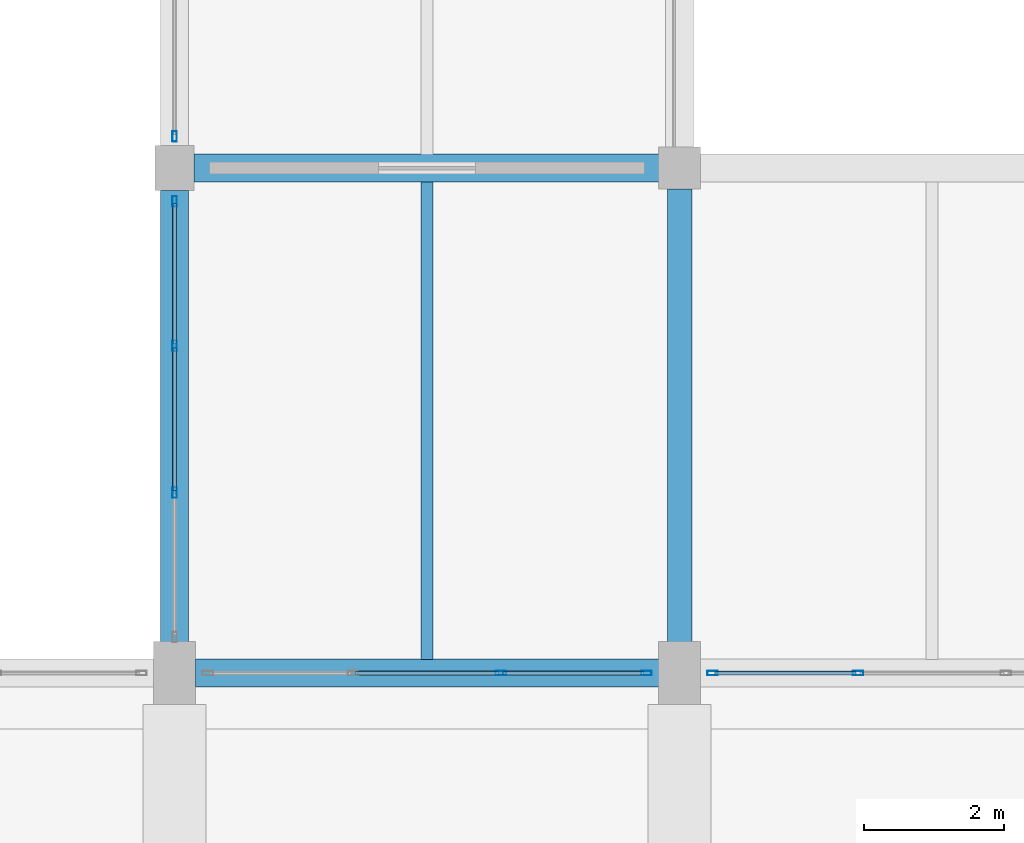
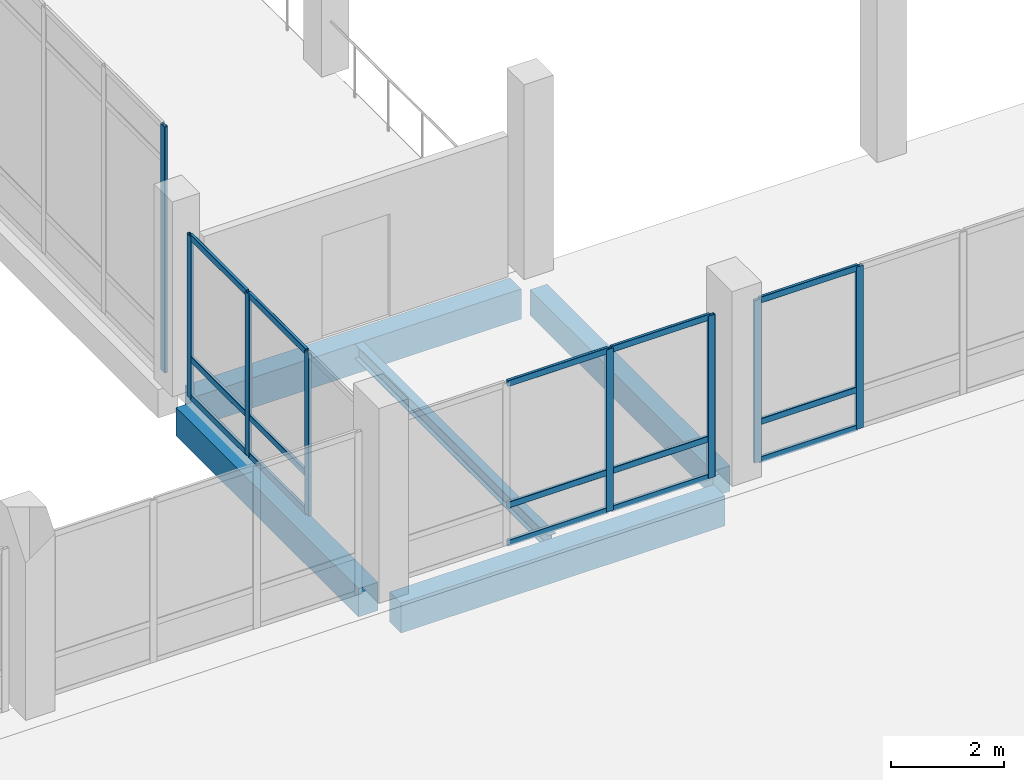
# One storey, part 88 of 158: 23 members, 5 beams, 4 elements without a shape of their own.
"""IFC4 building model written with IfcOpenShell, lengths in metres."""

from ifc_helpers import new_model, si_unit, direction, frame, origin, origin_2d, place, context, subcontext, project, spatial, rectangle, hollow_rectangle, i_section, extrude, material, material_profile, profile_set, type_object, element, aggregate, save


model = new_model("IFC4")

# Units and contexts
model_context = context("Model", 3, precision=1e-05, world=origin(), true_north=direction((0.0, 1.0)))
body_context = subcontext(model_context, "Body", "Model", "MODEL_VIEW")
ifc_project = project(units=[si_unit("LENGTHUNIT", "METRE"), si_unit("AREAUNIT", "SQUARE_METRE"), si_unit("VOLUMEUNIT", "CUBIC_METRE"), si_unit("PLANEANGLEUNIT", "RADIAN"), si_unit("MASSUNIT", "GRAM", prefix="KILO")], contexts=[model_context])

# Site, building, storey
site_placement = place(None, origin())
site = spatial("IfcSite", under=ifc_project, at=site_placement, CompositionType="ELEMENT")
building_placement = place(site_placement, origin())
building = spatial("IfcBuilding", under=site, at=building_placement, Name="Lusvemor Sports Hall", CompositionType="ELEMENT")
storey_placement = place(building_placement, frame((0.0, 0.0, 10.800048828125)))
storey = spatial("IfcBuildingStorey", under=building, at=storey_placement, Name="L02", CompositionType="ELEMENT", Elevation=10.800048828125)

# Beams
ifc_material_1 = material(Name="Concrete C40/50", Category="concrete")
ifc_material_profile_1 = material_profile(ifc_material_1, rectangle(XDim=0.35009765625, YDim=0.550048828125, at=origin_2d()), Name="RC350x550")
ifc_profile_set_1 = profile_set([ifc_material_profile_1], Name="Concrete C40/50")
beam_type_1 = type_object("IfcBeamType", Name="BEAM_RC_550", PredefinedType="BEAM", material=ifc_profile_set_1)
beam_1_placement = place(storey_placement, frame((140.39990234375, 40.0458984375, -0.53515625), z_axis=(0.0, 1.0, 0.0), x_axis=(-1.0, 0.0, 0.0)))
element("IfcBeam", 1, at=beam_1_placement, inside=storey, type_object=beam_type_1, Name="Beam L02 16:E-F", PredefinedType="BEAM", context=body_context, shape_type="SweptSolid", body=[
    extrude(rectangle(XDim=0.35009765625, YDim=0.550048828125, at=origin_2d()), origin(), (0.0, 0.0, 1.0), 6.4580078125),
])
ifc_material_2 = material(Name="Concrete C40/50", Category="concrete")
ifc_material_profile_2 = material_profile(ifc_material_2, rectangle(XDim=0.39990234375, YDim=0.64990234375, at=origin_2d()), Name="RC400x650")
ifc_profile_set_2 = profile_set([ifc_material_profile_2], Name="Concrete C40/50")
beam_type_2 = type_object("IfcBeamType", Name="BEAM_RC_650", PredefinedType="BEAM", material=ifc_profile_set_2)
beam_2_placement = place(storey_placement, frame((133.49609375, 39.60009765625, -0.675048828125), z_axis=(1.0, 0.0, 0.0), x_axis=(0.0, 1.0, 0.0)))
element("IfcBeam", 2, at=beam_2_placement, inside=storey, type_object=beam_type_2, Name="Beam L02 E:15-16", PredefinedType="BEAM", context=body_context, shape_type="SweptSolid", body=[
    extrude(rectangle(XDim=0.39990234375, YDim=0.64990234375, at=origin_2d()), origin(), (0.0, 0.0, 1.0), 6.60791015625),
])
beam_3_placement = place(storey_placement, frame((133.47607421875, 46.800048828125, -0.5849609375), z_axis=(1.0, 0.0, 0.0), x_axis=(0.0, 1.0, 0.0)))
element("IfcBeam", 3, at=beam_3_placement, inside=storey, type_object=beam_type_2, Name="Beam L02 F:15-16", PredefinedType="BEAM", context=body_context, shape_type="SweptSolid", body=[
    extrude(rectangle(XDim=0.39990234375, YDim=0.64990234375, at=origin_2d()), origin(), (0.0, 0.0, 1.0), 6.6279296875),
])

# Curtain wall, members
ifc_material_3 = material(Name="Thermally broken bronze-anodized aluminium", Category="aluminium")
curtain_wall_type_1 = type_object("IfcCurtainWallType", Name="CW_COURT_C", PredefinedType="NOTDEFINED", material=ifc_material_3)
curtain_wall_1_placement = place(storey_placement, origin())
curtain_wall_1 = element("IfcCurtainWall", 4, at=curtain_wall_1_placement, inside=storey, type_object=curtain_wall_type_1, Name="Curtain Wall CW-V2N-L02-2", PredefinedType="NOTDEFINED")
ifc_material_4 = material(Name="Thermally broken bronze-anodized aluminium", Category="aluminium")
ifc_material_profile_3 = material_profile(ifc_material_4, hollow_rectangle(XDim=0.06494140625, YDim=0.14990234375, WallThickness=0.00390625, InnerFilletRadius=0.00390625, OuterFilletRadius=0.008056640625, at=origin_2d()), Name="CWMUL150x65x4")
ifc_profile_set_3 = profile_set([ifc_material_profile_3], Name="Thermally broken bronze-anodized aluminium")
member_type_1 = type_object("IfcMemberType", Name="CW_MUL_B", PredefinedType="MULLION", material=ifc_profile_set_3)
member_1_placement = place(storey_placement, frame((137.853271484375, 39.60009765625, 0.0), z_axis=(0.0, 0.0, 1.0), x_axis=(0.0, 1.0, 0.0)))
member_1 = element("IfcMember", 5, at=member_1_placement, type_object=member_type_1, Name="CW03 mullion 3", PredefinedType="MULLION", context=body_context, shape_type="SweptSolid", body=[
    extrude(hollow_rectangle(XDim=0.06494140625, YDim=0.14990234375, WallThickness=0.00390625, InnerFilletRadius=0.00390625, OuterFilletRadius=0.008056640625, at=origin_2d()), origin(), (0.0, 0.0, 1.0), 3.5),
])
member_2_placement = place(storey_placement, frame((139.927490234375, 39.60009765625, 0.0), z_axis=(0.0, 0.0, 1.0), x_axis=(0.0, 1.0, 0.0)))
member_2 = element("IfcMember", 6, at=member_2_placement, type_object=member_type_1, Name="CW03 mullion 4", PredefinedType="MULLION", context=body_context, shape_type="SweptSolid", body=[
    extrude(hollow_rectangle(XDim=0.06494140625, YDim=0.14990234375, WallThickness=0.00390625, InnerFilletRadius=0.00390625, OuterFilletRadius=0.008056640625, at=origin_2d()), origin(), (0.0, 0.0, 1.0), 3.5),
])

curtain_wall_2_placement = place(storey_placement, origin())
curtain_wall_2 = element("IfcCurtainWall", 7, at=curtain_wall_2_placement, inside=storey, type_object=curtain_wall_type_1, Name="Curtain Wall CW-V2N-L02-3", PredefinedType="NOTDEFINED")
member_3_placement = place(storey_placement, frame((140.87255859375, 39.60009765625, 0.0), z_axis=(0.0, 0.0, 1.0), x_axis=(0.0, 1.0, 0.0)))
member_3 = element("IfcMember", 8, at=member_3_placement, type_object=member_type_1, Name="CW03 mullion 1", PredefinedType="MULLION", context=body_context, shape_type="SweptSolid", body=[
    extrude(hollow_rectangle(XDim=0.06494140625, YDim=0.14990234375, WallThickness=0.00390625, InnerFilletRadius=0.00390625, OuterFilletRadius=0.008056640625, at=origin_2d()), origin(), (0.0, 0.0, 1.0), 3.5),
])
member_4_placement = place(storey_placement, frame((142.94677734375, 39.60009765625, 0.0), z_axis=(0.0, 0.0, 1.0), x_axis=(0.0, 1.0, 0.0)))
member_4 = element("IfcMember", 9, at=member_4_placement, type_object=member_type_1, Name="CW03 mullion 2", PredefinedType="MULLION", context=body_context, shape_type="SweptSolid", body=[
    extrude(hollow_rectangle(XDim=0.06494140625, YDim=0.14990234375, WallThickness=0.00390625, InnerFilletRadius=0.00390625, OuterFilletRadius=0.008056640625, at=origin_2d()), origin(), (0.0, 0.0, 1.0), 3.5),
])

# Curtain wall, member
ifc_material_5 = material(Name="Thermally broken bronze-anodized aluminium", Category="aluminium")
curtain_wall_type_2 = type_object("IfcCurtainWallType", Name="CW_CLIMB_D", PredefinedType="NOTDEFINED", material=ifc_material_5)
curtain_wall_3_placement = place(storey_placement, origin())
curtain_wall_3 = element("IfcCurtainWall", 10, at=curtain_wall_3_placement, inside=storey, type_object=curtain_wall_type_2, Name="Curtain Wall CW-V3W-L02-0", PredefinedType="NOTDEFINED")
member_5_placement = place(storey_placement, frame((133.199951171875, 47.25244140625, 0.0), z_axis=(0.0, 0.0, 1.0), x_axis=(-1.0, 0.0, 0.0)))
member_5 = element("IfcMember", 11, at=member_5_placement, type_object=member_type_1, Name="CW04 mullion 1", PredefinedType="MULLION", context=body_context, shape_type="SweptSolid", body=[
    extrude(hollow_rectangle(XDim=0.06494140625, YDim=0.14990234375, WallThickness=0.00390625, InnerFilletRadius=0.00390625, OuterFilletRadius=0.008056640625, at=origin_2d()), origin(), (0.0, 0.0, 1.0), 5.300048828125),
])
aggregate(curtain_wall_3, [member_5])

# Curtain wall, members
ifc_material_6 = material(Name="Thermally broken bronze-anodized aluminium", Category="aluminium")
curtain_wall_type_3 = type_object("IfcCurtainWallType", Name="CW_PASSAGE_E", PredefinedType="NOTDEFINED", material=ifc_material_6)
curtain_wall_4_placement = place(storey_placement, origin())
curtain_wall_4 = element("IfcCurtainWall", 12, at=curtain_wall_4_placement, inside=storey, type_object=curtain_wall_type_3, Name="Curtain Wall CW-ELINK-133-L02", PredefinedType="NOTDEFINED")
member_6_placement = place(storey_placement, frame((133.199951171875, 42.17333984375, 0.0), z_axis=(0.0, 0.0, 1.0), x_axis=(-1.0, 0.0, 0.0)))
member_6 = element("IfcMember", 13, at=member_6_placement, type_object=member_type_1, Name="CW05 mullion 2", PredefinedType="MULLION", context=body_context, shape_type="SweptSolid", body=[
    extrude(hollow_rectangle(XDim=0.06494140625, YDim=0.14990234375, WallThickness=0.00390625, InnerFilletRadius=0.00390625, OuterFilletRadius=0.008056640625, at=origin_2d()), origin(), (0.0, 0.0, 1.0), 3.5),
])
member_7_placement = place(storey_placement, frame((133.199951171875, 44.2666015625, 0.0), z_axis=(0.0, 0.0, 1.0), x_axis=(-1.0, 0.0, 0.0)))
member_7 = element("IfcMember", 14, at=member_7_placement, type_object=member_type_1, Name="CW05 mullion 3", PredefinedType="MULLION", context=body_context, shape_type="SweptSolid", body=[
    extrude(hollow_rectangle(XDim=0.06494140625, YDim=0.14990234375, WallThickness=0.00390625, InnerFilletRadius=0.00390625, OuterFilletRadius=0.008056640625, at=origin_2d()), origin(), (0.0, 0.0, 1.0), 3.5),
])
member_8_placement = place(storey_placement, frame((133.199951171875, 46.327392578125, 0.0), z_axis=(0.0, 0.0, 1.0), x_axis=(-1.0, 0.0, 0.0)))
member_8 = element("IfcMember", 15, at=member_8_placement, type_object=member_type_1, Name="CW05 mullion 4", PredefinedType="MULLION", context=body_context, shape_type="SweptSolid", body=[
    extrude(hollow_rectangle(XDim=0.06494140625, YDim=0.14990234375, WallThickness=0.00390625, InnerFilletRadius=0.00390625, OuterFilletRadius=0.008056640625, at=origin_2d()), origin(), (0.0, 0.0, 1.0), 3.5),
])

# Member
ifc_material_7 = material(Name="Thermally broken bronze-anodized aluminium", Category="aluminium")
ifc_material_profile_4 = material_profile(ifc_material_7, hollow_rectangle(XDim=0.06005859375, YDim=0.135009765625, WallThickness=0.00390625, InnerFilletRadius=0.00390625, OuterFilletRadius=0.008056640625, at=origin_2d()), Name="CWTRN135x60x4")
ifc_profile_set_4 = profile_set([ifc_material_profile_4], Name="Thermally broken bronze-anodized aluminium")
member_type_2 = type_object("IfcMemberType", Name="CW_TRN_B", PredefinedType="USERDEFINED", material=ifc_profile_set_4)
member_9_placement = place(storey_placement, frame((135.779052734375, 39.60009765625, 0.030029296875), z_axis=(1.0, 0.0, 0.0), x_axis=(0.0, 1.0, 0.0)))
member_9 = element("IfcMember", 16, at=member_9_placement, type_object=member_type_2, Name="CW03 transom 2.1", ObjectType="TRANSOM", PredefinedType="USERDEFINED", context=body_context, shape_type="SweptSolid", body=[
    extrude(hollow_rectangle(XDim=0.06005859375, YDim=0.135009765625, WallThickness=0.00390625, InnerFilletRadius=0.00390625, OuterFilletRadius=0.008056640625, at=origin_2d()), origin(), (0.0, 0.0, 1.0), 2.041748046875),
])

member_10_placement = place(storey_placement, frame((135.779052734375, 39.60009765625, 0.849853515625), z_axis=(1.0, 0.0, 0.0), x_axis=(0.0, 1.0, 0.0)))
member_10 = element("IfcMember", 17, at=member_10_placement, type_object=member_type_2, Name="CW03 transom 2.2", ObjectType="TRANSOM", PredefinedType="USERDEFINED", context=body_context, shape_type="SweptSolid", body=[
    extrude(hollow_rectangle(XDim=0.06005859375, YDim=0.135009765625, WallThickness=0.00390625, InnerFilletRadius=0.00390625, OuterFilletRadius=0.008056640625, at=origin_2d()), origin(), (0.0, 0.0, 1.0), 2.041748046875),
])

member_11_placement = place(storey_placement, frame((135.779052734375, 39.60009765625, 3.469970703125), z_axis=(1.0, 0.0, 0.0), x_axis=(0.0, 1.0, 0.0)))
member_11 = element("IfcMember", 18, at=member_11_placement, type_object=member_type_2, Name="CW03 transom 2.3", ObjectType="TRANSOM", PredefinedType="USERDEFINED", context=body_context, shape_type="SweptSolid", body=[
    extrude(hollow_rectangle(XDim=0.06005859375, YDim=0.135009765625, WallThickness=0.00390625, InnerFilletRadius=0.00390625, OuterFilletRadius=0.008056640625, at=origin_2d()), origin(), (0.0, 0.0, 1.0), 2.041748046875),
])

member_12_placement = place(storey_placement, frame((137.8857421875, 39.60009765625, 0.030029296875), z_axis=(1.0, 0.0, 0.0), x_axis=(0.0, 1.0, 0.0)))
member_12 = element("IfcMember", 19, at=member_12_placement, type_object=member_type_2, Name="CW03 transom 3.1", ObjectType="TRANSOM", PredefinedType="USERDEFINED", context=body_context, shape_type="SweptSolid", body=[
    extrude(hollow_rectangle(XDim=0.06005859375, YDim=0.135009765625, WallThickness=0.00390625, InnerFilletRadius=0.00390625, OuterFilletRadius=0.008056640625, at=origin_2d()), origin(), (0.0, 0.0, 1.0), 2.00927734375),
])

member_13_placement = place(storey_placement, frame((137.8857421875, 39.60009765625, 0.849853515625), z_axis=(1.0, 0.0, 0.0), x_axis=(0.0, 1.0, 0.0)))
member_13 = element("IfcMember", 20, at=member_13_placement, type_object=member_type_2, Name="CW03 transom 3.2", ObjectType="TRANSOM", PredefinedType="USERDEFINED", context=body_context, shape_type="SweptSolid", body=[
    extrude(hollow_rectangle(XDim=0.06005859375, YDim=0.135009765625, WallThickness=0.00390625, InnerFilletRadius=0.00390625, OuterFilletRadius=0.008056640625, at=origin_2d()), origin(), (0.0, 0.0, 1.0), 2.00927734375),
])

member_14_placement = place(storey_placement, frame((137.8857421875, 39.60009765625, 3.469970703125), z_axis=(1.0, 0.0, 0.0), x_axis=(0.0, 1.0, 0.0)))
member_14 = element("IfcMember", 21, at=member_14_placement, type_object=member_type_2, Name="CW03 transom 3.3", ObjectType="TRANSOM", PredefinedType="USERDEFINED", context=body_context, shape_type="SweptSolid", body=[
    extrude(hollow_rectangle(XDim=0.06005859375, YDim=0.135009765625, WallThickness=0.00390625, InnerFilletRadius=0.00390625, OuterFilletRadius=0.008056640625, at=origin_2d()), origin(), (0.0, 0.0, 1.0), 2.00927734375),
])

aggregate(curtain_wall_1, [member_1, member_2, member_9, member_10, member_11, member_12, member_13, member_14])

member_15_placement = place(storey_placement, frame((140.905029296875, 39.60009765625, 0.030029296875), z_axis=(1.0, 0.0, 0.0), x_axis=(0.0, 1.0, 0.0)))
member_15 = element("IfcMember", 22, at=member_15_placement, type_object=member_type_2, Name="CW03 transom 1.1", ObjectType="TRANSOM", PredefinedType="USERDEFINED", context=body_context, shape_type="SweptSolid", body=[
    extrude(hollow_rectangle(XDim=0.06005859375, YDim=0.135009765625, WallThickness=0.00390625, InnerFilletRadius=0.00390625, OuterFilletRadius=0.008056640625, at=origin_2d()), origin(), (0.0, 0.0, 1.0), 2.009033203125),
])

member_16_placement = place(storey_placement, frame((140.905029296875, 39.60009765625, 0.849853515625), z_axis=(1.0, 0.0, 0.0), x_axis=(0.0, 1.0, 0.0)))
member_16 = element("IfcMember", 23, at=member_16_placement, type_object=member_type_2, Name="CW03 transom 1.2", ObjectType="TRANSOM", PredefinedType="USERDEFINED", context=body_context, shape_type="SweptSolid", body=[
    extrude(hollow_rectangle(XDim=0.06005859375, YDim=0.135009765625, WallThickness=0.00390625, InnerFilletRadius=0.00390625, OuterFilletRadius=0.008056640625, at=origin_2d()), origin(), (0.0, 0.0, 1.0), 2.009033203125),
])

member_17_placement = place(storey_placement, frame((140.905029296875, 39.60009765625, 3.469970703125), z_axis=(1.0, 0.0, 0.0), x_axis=(0.0, 1.0, 0.0)))
member_17 = element("IfcMember", 24, at=member_17_placement, type_object=member_type_2, Name="CW03 transom 1.3", ObjectType="TRANSOM", PredefinedType="USERDEFINED", context=body_context, shape_type="SweptSolid", body=[
    extrude(hollow_rectangle(XDim=0.06005859375, YDim=0.135009765625, WallThickness=0.00390625, InnerFilletRadius=0.00390625, OuterFilletRadius=0.008056640625, at=origin_2d()), origin(), (0.0, 0.0, 1.0), 2.009033203125),
])

aggregate(curtain_wall_2, [member_3, member_4, member_15, member_16, member_17])

member_18_placement = place(storey_placement, frame((133.199951171875, 42.205810546875, 0.030029296875), z_axis=(0.0, 1.0, 0.0), x_axis=(-1.0, 0.0, 0.0)))
member_18 = element("IfcMember", 25, at=member_18_placement, type_object=member_type_2, Name="CW05 transom 2.1", ObjectType="TRANSOM", PredefinedType="USERDEFINED", context=body_context, shape_type="SweptSolid", body=[
    extrude(hollow_rectangle(XDim=0.06005859375, YDim=0.135009765625, WallThickness=0.00390625, InnerFilletRadius=0.00390625, OuterFilletRadius=0.008056640625, at=origin_2d()), origin(), (0.0, 0.0, 1.0), 2.0283203125),
])

member_19_placement = place(storey_placement, frame((133.199951171875, 42.205810546875, 0.849853515625), z_axis=(0.0, 1.0, 0.0), x_axis=(-1.0, 0.0, 0.0)))
member_19 = element("IfcMember", 26, at=member_19_placement, type_object=member_type_2, Name="CW05 transom 2.2", ObjectType="TRANSOM", PredefinedType="USERDEFINED", context=body_context, shape_type="SweptSolid", body=[
    extrude(hollow_rectangle(XDim=0.06005859375, YDim=0.135009765625, WallThickness=0.00390625, InnerFilletRadius=0.00390625, OuterFilletRadius=0.008056640625, at=origin_2d()), origin(), (0.0, 0.0, 1.0), 2.0283203125),
])

member_20_placement = place(storey_placement, frame((133.199951171875, 42.205810546875, 3.469970703125), z_axis=(0.0, 1.0, 0.0), x_axis=(-1.0, 0.0, 0.0)))
member_20 = element("IfcMember", 27, at=member_20_placement, type_object=member_type_2, Name="CW05 transom 2.3", ObjectType="TRANSOM", PredefinedType="USERDEFINED", context=body_context, shape_type="SweptSolid", body=[
    extrude(hollow_rectangle(XDim=0.06005859375, YDim=0.135009765625, WallThickness=0.00390625, InnerFilletRadius=0.00390625, OuterFilletRadius=0.008056640625, at=origin_2d()), origin(), (0.0, 0.0, 1.0), 2.0283203125),
])

member_21_placement = place(storey_placement, frame((133.199951171875, 44.299072265625, 0.030029296875), z_axis=(0.0, 1.0, 0.0), x_axis=(-1.0, 0.0, 0.0)))
member_21 = element("IfcMember", 28, at=member_21_placement, type_object=member_type_2, Name="CW05 transom 3.1", ObjectType="TRANSOM", PredefinedType="USERDEFINED", context=body_context, shape_type="SweptSolid", body=[
    extrude(hollow_rectangle(XDim=0.06005859375, YDim=0.135009765625, WallThickness=0.00390625, InnerFilletRadius=0.00390625, OuterFilletRadius=0.008056640625, at=origin_2d()), origin(), (0.0, 0.0, 1.0), 1.995849609375),
])

member_22_placement = place(storey_placement, frame((133.199951171875, 44.299072265625, 0.849853515625), z_axis=(0.0, 1.0, 0.0), x_axis=(-1.0, 0.0, 0.0)))
member_22 = element("IfcMember", 29, at=member_22_placement, type_object=member_type_2, Name="CW05 transom 3.2", ObjectType="TRANSOM", PredefinedType="USERDEFINED", context=body_context, shape_type="SweptSolid", body=[
    extrude(hollow_rectangle(XDim=0.06005859375, YDim=0.135009765625, WallThickness=0.00390625, InnerFilletRadius=0.00390625, OuterFilletRadius=0.008056640625, at=origin_2d()), origin(), (0.0, 0.0, 1.0), 1.995849609375),
])

member_23_placement = place(storey_placement, frame((133.199951171875, 44.299072265625, 3.469970703125), z_axis=(0.0, 1.0, 0.0), x_axis=(-1.0, 0.0, 0.0)))
member_23 = element("IfcMember", 30, at=member_23_placement, type_object=member_type_2, Name="CW05 transom 3.3", ObjectType="TRANSOM", PredefinedType="USERDEFINED", context=body_context, shape_type="SweptSolid", body=[
    extrude(hollow_rectangle(XDim=0.06005859375, YDim=0.135009765625, WallThickness=0.00390625, InnerFilletRadius=0.00390625, OuterFilletRadius=0.008056640625, at=origin_2d()), origin(), (0.0, 0.0, 1.0), 1.995849609375),
])

aggregate(curtain_wall_4, [member_6, member_7, member_8, member_18, member_19, member_20, member_21, member_22, member_23])

# Beams
ifc_material_8 = material(Name="Steel S355", Category="steel")
ifc_material_profile_5 = material_profile(ifc_material_8, i_section(OverallWidth=0.1669921875, OverallDepth=0.31689453125, WebThickness=0.007568359375, FlangeThickness=0.01318359375, FilletRadius=0.014892578125, at=origin_2d()), Name="W310x52.0")
ifc_profile_set_5 = profile_set([ifc_material_profile_5], Name="Steel S355")
beam_type_3 = type_object("IfcBeamType", Name="JOIST_ST_310M", PredefinedType="JOIST", material=ifc_profile_set_5)
beam_4_placement = place(storey_placement, frame((136.800048828125, 39.7958984375, -0.422607421875), z_axis=(0.0, 1.0, 0.0), x_axis=(-1.0, 0.0, 0.0)))
element("IfcBeam", 31, at=beam_4_placement, inside=storey, type_object=beam_type_3, Name="Secondary Joist L02 15-16/E-F #1", PredefinedType="JOIST", context=body_context, shape_type="SweptSolid", body=[
    extrude(i_section(OverallWidth=0.1669921875, OverallDepth=0.31689453125, WebThickness=0.007568359375, FlangeThickness=0.01318359375, FilletRadius=0.014892578125, at=origin_2d()), origin(), (0.0, 0.0, 1.0), 6.80810546875),
])
ifc_material_9 = material(Name="Concrete C40/50", Category="concrete")
ifc_material_profile_6 = material_profile(ifc_material_9, rectangle(XDim=0.39990234375, YDim=0.610107421875, at=origin_2d()), Name="RC400x610")
ifc_profile_set_6 = profile_set([ifc_material_profile_6], Name="Concrete C40/50")
beam_type_4 = type_object("IfcBeamType", Name="SPAND_EXT_650", PredefinedType="SPANDREL", material=ifc_profile_set_6)
beam_5_placement = place(storey_placement, frame((133.199951171875, 40.0458984375, -0.56494140625), z_axis=(0.0, 1.0, 0.0), x_axis=(-1.0, 0.0, 0.0)))
element("IfcBeam", 32, at=beam_5_placement, inside=storey, type_object=beam_type_4, Name="Beam L02 15:E-F", PredefinedType="SPANDREL", context=body_context, shape_type="SweptSolid", body=[
    extrude(rectangle(XDim=0.39990234375, YDim=0.610107421875, at=origin_2d()), origin(), (0.0, 0.0, 1.0), 6.43798828125),
])

save(model, "model.ifc")
